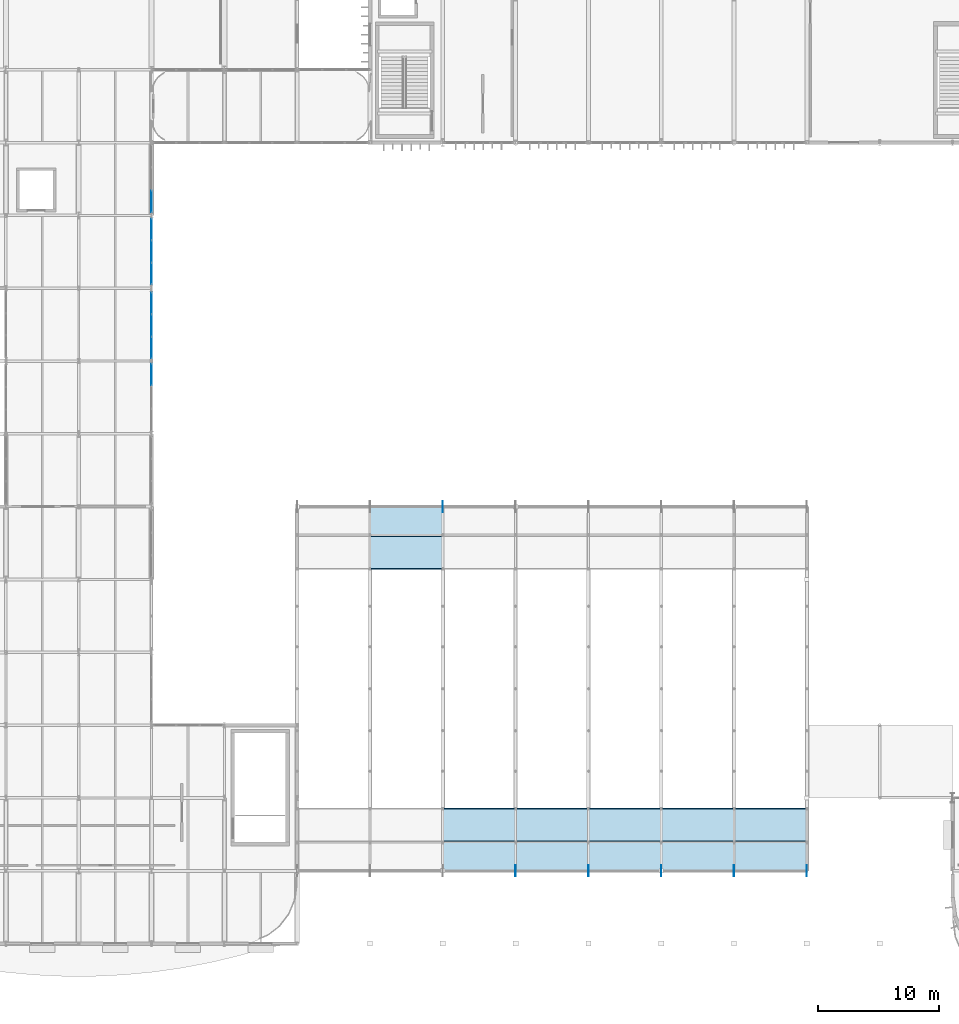
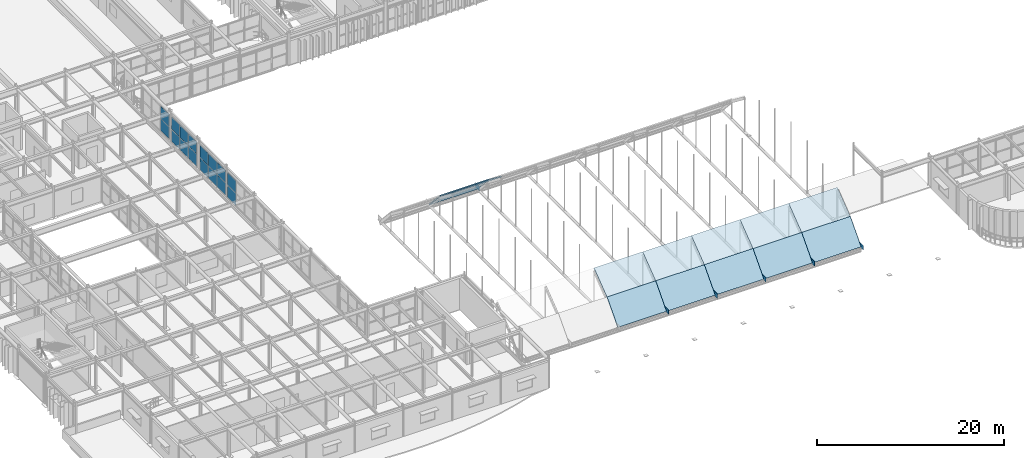
# One storey, part 78 of 116: 22 plates, 12 slabs, 4 elements without a shape of their own.
"""IFC4 building model written with IfcOpenShell, lengths in metres."""

from ifc_helpers import new_model, si_unit, direction, frame, origin, origin_2d, place, context, subcontext, project, spatial, polyline, rectangle, outline, extrude, material, layer, layer_set, type_object, element, aggregate, save


model = new_model("IFC4")

# Units and contexts
model_context = context("Model", 3, precision=1e-05, world=origin(), true_north=direction((0.0, 1.0)))
body_context = subcontext(model_context, "Body", "Model", "MODEL_VIEW")
ifc_project = project(units=[si_unit("LENGTHUNIT", "METRE"), si_unit("AREAUNIT", "SQUARE_METRE"), si_unit("VOLUMEUNIT", "CUBIC_METRE"), si_unit("PLANEANGLEUNIT", "RADIAN"), si_unit("MASSUNIT", "GRAM", prefix="KILO")], contexts=[model_context])

# Site, building, storey
site_placement = place(None, origin())
site = spatial("IfcSite", under=ifc_project, at=site_placement, CompositionType="ELEMENT")
building_placement = place(site_placement, origin())
building = spatial("IfcBuilding", under=site, at=building_placement, Name="Varnakota Square Police Headquarters", CompositionType="ELEMENT")
storey_placement = place(building_placement, frame((0.0, 0.0, 9.300048828125)))
storey = spatial("IfcBuildingStorey", under=building, at=storey_placement, Name="L02", CompositionType="ELEMENT", Elevation=9.300048828125)

# Curtain wall, plates
ifc_material_1 = material(Name="Anodised Aluminium Framing", Category="aluminium")
curtain_wall_type = type_object("IfcCurtainWallType", Name="CW-SYS-D", PredefinedType="NOTDEFINED", material=ifc_material_1)
curtain_wall_1_placement = place(storey_placement, origin())
curtain_wall_1 = element("IfcCurtainWall", 1, at=curtain_wall_1_placement, inside=storey, type_object=curtain_wall_type, Name="Unitised curtain wall CWG-L02-159", PredefinedType="NOTDEFINED")
ifc_material_2 = material(Name="Solar-Control Laminated Double Glazing", Category="glass")
ifc_layer_1 = layer(ifc_material_2, 0.028076171875, Name="Solar-Control Laminated Double Glazing")
ifc_layer_set_1 = layer_set([ifc_layer_1], Name="Solar-Control Laminated Double Glazing")
plate_type_1 = type_object("IfcPlateType", Name="CWP-GLZ-28", PredefinedType="CURTAIN_PANEL", material=ifc_layer_set_1)
plate_1_placement = place(storey_placement, frame((42.0, 58.21533203125, 0.06494140625), z_axis=(0.0, 0.0, 1.0), x_axis=(0.0, 1.0, 0.0)))
plate_1 = element("IfcPlate", 2, at=plate_1_placement, type_object=plate_type_1, Name="CWG-L02-159 panel 1.1", PredefinedType="CURTAIN_PANEL", context=body_context, shape_type="SweptSolid", body=[
    extrude(rectangle(XDim=1.74072265625, YDim=0.028076171875, at=origin_2d()), origin(), (0.0, 0.0, 1.0), 1.572509765625),
])
plate_2_placement = place(storey_placement, frame((42.0, 60.03759765625, 0.06494140625), z_axis=(0.0, 0.0, 1.0), x_axis=(0.0, 1.0, 0.0)))
plate_2 = element("IfcPlate", 3, at=plate_2_placement, type_object=plate_type_1, Name="CWG-L02-159 panel 2.1", PredefinedType="CURTAIN_PANEL", context=body_context, shape_type="SweptSolid", body=[
    extrude(rectangle(XDim=1.7734375, YDim=0.028076171875, at=origin_2d()), origin(), (0.0, 0.0, 1.0), 1.572509765625),
])
plate_3_placement = place(storey_placement, frame((42.0, 61.859619140625, 0.06494140625), z_axis=(0.0, 0.0, 1.0), x_axis=(0.0, 1.0, 0.0)))
plate_3 = element("IfcPlate", 4, at=plate_3_placement, type_object=plate_type_1, Name="CWG-L02-159 panel 3.1", PredefinedType="CURTAIN_PANEL", context=body_context, shape_type="SweptSolid", body=[
    extrude(rectangle(XDim=1.74072265625, YDim=0.028076171875, at=origin_2d()), origin(), (0.0, 0.0, 1.0), 1.572509765625),
])

# Curtain wall, plate
curtain_wall_2_placement = place(storey_placement, origin())
curtain_wall_2 = element("IfcCurtainWall", 5, at=curtain_wall_2_placement, inside=storey, type_object=curtain_wall_type, Name="Unitised curtain wall CWG-L02-160", PredefinedType="NOTDEFINED")
ifc_material_3 = material(Name="Acoustic Laminated Double Glazing", Category="glass")
ifc_layer_2 = layer(ifc_material_3, 0.031982421875, Name="Acoustic Laminated Double Glazing")
ifc_layer_set_2 = layer_set([ifc_layer_2], Name="Acoustic Laminated Double Glazing")
plate_type_2 = type_object("IfcPlateType", Name="CWP-GLZ-32", PredefinedType="CURTAIN_PANEL", material=ifc_layer_set_2)
plate_4_placement = place(storey_placement, frame((42.0, 64.1611328125, 0.06494140625), z_axis=(0.0, 0.0, 1.0), x_axis=(0.0, 1.0, 0.0)))
plate_4 = element("IfcPlate", 6, at=plate_4_placement, type_object=plate_type_2, Name="CWG-L02-160 panel 1.1", PredefinedType="CURTAIN_PANEL", context=body_context, shape_type="SweptSolid", body=[
    extrude(rectangle(XDim=1.782470703125, YDim=0.031982421875, at=origin_2d()), origin(), (0.0, 0.0, 1.0), 1.572509765625),
])

curtain_wall_3_placement = place(storey_placement, origin())
curtain_wall_3 = element("IfcCurtainWall", 7, at=curtain_wall_3_placement, inside=storey, type_object=curtain_wall_type, Name="Unitised curtain wall CWG-L02-157", PredefinedType="NOTDEFINED")
ifc_material_4 = material(Name="Blast-Resistant Laminated Glazing", Category="glass")
ifc_layer_3 = layer(ifc_material_4, 0.035888671875, Name="Blast-Resistant Laminated Glazing")
ifc_layer_set_3 = layer_set([ifc_layer_3], Name="Blast-Resistant Laminated Glazing")
plate_type_3 = type_object("IfcPlateType", Name="CWP-GLZ-36", PredefinedType="CURTAIN_PANEL", material=ifc_layer_set_3)
plate_5_placement = place(storey_placement, frame((42.0, 49.888671875, 0.06494140625), z_axis=(0.0, 0.0, 1.0), x_axis=(0.0, 1.0, 0.0)))
plate_5 = element("IfcPlate", 8, at=plate_5_placement, type_object=plate_type_3, Name="CWG-L02-157 panel 3.1", PredefinedType="CURTAIN_PANEL", context=body_context, shape_type="SweptSolid", body=[
    extrude(rectangle(XDim=1.782470703125, YDim=0.035888671875, at=origin_2d()), origin(), (0.0, 0.0, 1.0), 1.572509765625),
])

# Curtain wall, plates
curtain_wall_4_placement = place(storey_placement, origin())
curtain_wall_4 = element("IfcCurtainWall", 9, at=curtain_wall_4_placement, inside=storey, type_object=curtain_wall_type, Name="Unitised curtain wall CWG-L02-158", PredefinedType="NOTDEFINED")
ifc_material_5 = material(Name="Triple-Glazed Clean-Lab Vision Unit", Category="aluminium")
ifc_layer_4 = layer(ifc_material_5, 0.0419921875, Name="Triple-Glazed Clean-Lab Vision Unit")
ifc_layer_set_4 = layer_set([ifc_layer_4], Name="Triple-Glazed Clean-Lab Vision Unit")
plate_type_4 = type_object("IfcPlateType", Name="CWP-GLZ-42", PredefinedType="CURTAIN_PANEL", material=ifc_layer_set_4)
plate_6_placement = place(storey_placement, frame((42.0, 52.0986328125, 0.06494140625), z_axis=(0.0, 0.0, 1.0), x_axis=(0.0, 1.0, 0.0)))
plate_6 = element("IfcPlate", 10, at=plate_6_placement, type_object=plate_type_4, Name="CWG-L02-158 panel 1.1", PredefinedType="CURTAIN_PANEL", context=body_context, shape_type="SweptSolid", body=[
    extrude(rectangle(XDim=1.757568359375, YDim=0.0419921875, at=origin_2d()), origin(), (0.0, 0.0, 1.0), 1.572509765625),
])
plate_7_placement = place(storey_placement, frame((42.0, 53.9375, 0.06494140625), z_axis=(0.0, 0.0, 1.0), x_axis=(0.0, 1.0, 0.0)))
plate_7 = element("IfcPlate", 11, at=plate_7_placement, type_object=plate_type_4, Name="CWG-L02-158 panel 2.1", PredefinedType="CURTAIN_PANEL", context=body_context, shape_type="SweptSolid", body=[
    extrude(rectangle(XDim=1.7900390625, YDim=0.0419921875, at=origin_2d()), origin(), (0.0, 0.0, 1.0), 1.572509765625),
])
plate_8_placement = place(storey_placement, frame((42.0, 55.7763671875, 0.06494140625), z_axis=(0.0, 0.0, 1.0), x_axis=(0.0, 1.0, 0.0)))
plate_8 = element("IfcPlate", 12, at=plate_8_placement, type_object=plate_type_4, Name="CWG-L02-158 panel 3.1", PredefinedType="CURTAIN_PANEL", context=body_context, shape_type="SweptSolid", body=[
    extrude(rectangle(XDim=1.757568359375, YDim=0.0419921875, at=origin_2d()), origin(), (0.0, 0.0, 1.0), 1.572509765625),
])

# Plate
ifc_material_6 = material(Name="Insulated Anodised Aluminium Spandrel Panel", Category="aluminium")
ifc_layer_5 = layer(ifc_material_6, 0.050048828125, Name="Insulated Anodised Aluminium Spandrel Panel")
ifc_layer_set_5 = layer_set([ifc_layer_5], Name="Insulated Anodised Aluminium Spandrel Panel")
plate_type_5 = type_object("IfcPlateType", Name="CWP-SPN-50", PredefinedType="CURTAIN_PANEL", material=ifc_layer_set_5)
plate_9_placement = place(storey_placement, frame((42.0, 49.888671875, 1.70263671875), z_axis=(0.0, 0.0, 1.0), x_axis=(0.0, 1.0, 0.0)))
plate_9 = element("IfcPlate", 13, at=plate_9_placement, type_object=plate_type_5, Name="CWG-L02-157 panel 3.2", PredefinedType="CURTAIN_PANEL", context=body_context, shape_type="SweptSolid", body=[
    extrude(rectangle(XDim=1.782470703125, YDim=0.050048828125, at=origin_2d()), origin(), (0.0, 0.0, 1.0), 1.572509765625),
])

aggregate(curtain_wall_3, [plate_5, plate_9])

plate_10_placement = place(storey_placement, frame((42.0, 58.21533203125, 1.70263671875), z_axis=(0.0, 0.0, 1.0), x_axis=(0.0, 1.0, 0.0)))
plate_10 = element("IfcPlate", 14, at=plate_10_placement, type_object=plate_type_5, Name="CWG-L02-159 panel 1.2", PredefinedType="CURTAIN_PANEL", context=body_context, shape_type="SweptSolid", body=[
    extrude(rectangle(XDim=1.74072265625, YDim=0.050048828125, at=origin_2d()), origin(), (0.0, 0.0, 1.0), 1.572509765625),
])

plate_11_placement = place(storey_placement, frame((42.0, 60.03759765625, 1.70263671875), z_axis=(0.0, 0.0, 1.0), x_axis=(0.0, 1.0, 0.0)))
plate_11 = element("IfcPlate", 15, at=plate_11_placement, type_object=plate_type_5, Name="CWG-L02-159 panel 2.2", PredefinedType="CURTAIN_PANEL", context=body_context, shape_type="SweptSolid", body=[
    extrude(rectangle(XDim=1.7734375, YDim=0.050048828125, at=origin_2d()), origin(), (0.0, 0.0, 1.0), 1.572509765625),
])

plate_12_placement = place(storey_placement, frame((42.0, 61.859619140625, 1.70263671875), z_axis=(0.0, 0.0, 1.0), x_axis=(0.0, 1.0, 0.0)))
plate_12 = element("IfcPlate", 16, at=plate_12_placement, type_object=plate_type_5, Name="CWG-L02-159 panel 3.2", PredefinedType="CURTAIN_PANEL", context=body_context, shape_type="SweptSolid", body=[
    extrude(rectangle(XDim=1.74072265625, YDim=0.050048828125, at=origin_2d()), origin(), (0.0, 0.0, 1.0), 1.572509765625),
])

aggregate(curtain_wall_1, [plate_1, plate_10, plate_2, plate_11, plate_3, plate_12])

ifc_material_7 = material(Name="Fire-Stopped Mineral-Wool Spandrel Panel", Category="aluminium")
ifc_layer_6 = layer(ifc_material_7, 0.06005859375, Name="Fire-Stopped Mineral-Wool Spandrel Panel")
ifc_layer_set_6 = layer_set([ifc_layer_6], Name="Fire-Stopped Mineral-Wool Spandrel Panel")
plate_type_6 = type_object("IfcPlateType", Name="CWP-SPN-60", PredefinedType="CURTAIN_PANEL", material=ifc_layer_set_6)
plate_13_placement = place(storey_placement, frame((42.0, 52.0986328125, 1.70263671875), z_axis=(0.0, 0.0, 1.0), x_axis=(0.0, 1.0, 0.0)))
plate_13 = element("IfcPlate", 17, at=plate_13_placement, type_object=plate_type_6, Name="CWG-L02-158 panel 1.2", PredefinedType="CURTAIN_PANEL", context=body_context, shape_type="SweptSolid", body=[
    extrude(rectangle(XDim=1.757568359375, YDim=0.06005859375, at=origin_2d()), origin(), (0.0, 0.0, 1.0), 1.572509765625),
])

plate_14_placement = place(storey_placement, frame((42.0, 53.9375, 1.70263671875), z_axis=(0.0, 0.0, 1.0), x_axis=(0.0, 1.0, 0.0)))
plate_14 = element("IfcPlate", 18, at=plate_14_placement, type_object=plate_type_6, Name="CWG-L02-158 panel 2.2", PredefinedType="CURTAIN_PANEL", context=body_context, shape_type="SweptSolid", body=[
    extrude(rectangle(XDim=1.7900390625, YDim=0.06005859375, at=origin_2d()), origin(), (0.0, 0.0, 1.0), 1.572509765625),
])

plate_15_placement = place(storey_placement, frame((42.0, 55.7763671875, 1.70263671875), z_axis=(0.0, 0.0, 1.0), x_axis=(0.0, 1.0, 0.0)))
plate_15 = element("IfcPlate", 19, at=plate_15_placement, type_object=plate_type_6, Name="CWG-L02-158 panel 3.2", PredefinedType="CURTAIN_PANEL", context=body_context, shape_type="SweptSolid", body=[
    extrude(rectangle(XDim=1.757568359375, YDim=0.06005859375, at=origin_2d()), origin(), (0.0, 0.0, 1.0), 1.572509765625),
])

aggregate(curtain_wall_4, [plate_6, plate_13, plate_7, plate_14, plate_8, plate_15])

plate_16_placement = place(storey_placement, frame((42.0, 64.1611328125, 1.70263671875), z_axis=(0.0, 0.0, 1.0), x_axis=(0.0, 1.0, 0.0)))
plate_16 = element("IfcPlate", 20, at=plate_16_placement, type_object=plate_type_6, Name="CWG-L02-160 panel 1.2", PredefinedType="CURTAIN_PANEL", context=body_context, shape_type="SweptSolid", body=[
    extrude(rectangle(XDim=1.782470703125, YDim=0.06005859375, at=origin_2d()), origin(), (0.0, 0.0, 1.0), 1.572509765625),
])

aggregate(curtain_wall_2, [plate_4, plate_16])

# Plates
ifc_material_8 = material(Name="Steel IS 2062 Grade 350", Category="steel")
ifc_layer_7 = layer(ifc_material_8, 0.02001953125, Name="Steel IS 2062 Grade 350")
ifc_layer_set_7 = layer_set([ifc_layer_7], Name="Steel IS 2062 Grade 350")
plate_type_7 = type_object("IfcPlateType", Name="PL-GUS-20", PredefinedType="SHEET", material=ifc_layer_set_7)
for number, where, z_axis, x_axis, name in (
    (21, (66.0, 39.0, -0.150146484375), (0.0, 0.0, 1.0), (1.0, 0.0, 0.0), "Vault springing gusset GP-006"),
    (22, (72.0, 9.0, -0.150146484375), (0.0, 0.0, 1.0), (1.0, 0.0, 0.0), "Vault springing gusset GP-007"),
    (23, (78.0, 9.0, -0.150146484375), (0.0, 0.0, 1.0), (1.0, 0.0, 0.0), "Vault springing gusset GP-009"),
    (24, (84.0, 9.0, -0.150146484375), (0.0, 0.0, 1.0), (1.0, 0.0, 0.0), "Vault springing gusset GP-011"),
    (25, (90.0, 9.0, -0.150146484375), (0.0, 0.0, 1.0), (1.0, 0.0, 0.0), "Vault springing gusset GP-013"),
    (26, (96.0, 9.0, -0.150146484375), (0.0, 0.0, 1.0), (1.0, 0.0, 0.0), "Vault springing gusset GP-015"),
):
    element("IfcPlate", number, at=place(storey_placement, frame(where, z_axis=z_axis, x_axis=x_axis)), inside=storey, type_object=plate_type_7, Name=name, PredefinedType="SHEET", context=body_context, shape_type="SweptSolid", body=[
        extrude(rectangle(XDim=0.02001953125, YDim=0.89990234375, at=origin_2d()), origin(), (0.0, 0.0, 1.0), 0.60009765625),
    ])

# Slabs
ifc_material_9 = material(Name="Concrete M40", Category="concrete")
ifc_layer_8 = layer(ifc_material_9, 0.139892578125, Name="Concrete M40")
ifc_layer_set_8 = layer_set([ifc_layer_8], Name="Concrete M40")
slab_type = type_object("IfcSlabType", Name="SL-VLT-140", PredefinedType="ROOF", material=ifc_layer_set_8)
slab_1_placement = place(storey_placement, frame((60.0, 33.902099609375, 4.671875), z_axis=(0.0, 0.604468039557, 0.7966293926), x_axis=(1.0, 0.0, 0.0)))
element("IfcSlab", 27, at=slab_1_placement, inside=storey, type_object=slab_type, Name="Barrel vault roof deck strip V1-B02-S09", PredefinedType="ROOF", context=body_context, shape_type="SweptSolid", body=[
    extrude(outline(polyline([(0.0, 0.0), (6.0, 0.0), (6.0, 3.472271180231597), (0.0, 3.472271180231597), (0.0, 0.0)])), origin(), (0.0, 0.0, -1.0), 0.139892578125),
])
for number, where, z_axis, x_axis, name in (
    (28, (60.0, 36.668212890625, 2.572998046875), (0.0, 0.740985858159, 0.671520631111), (1.0, 0.0, 0.0), "Barrel vault roof deck strip V1-B02-S10"),
    (29, (66.0, 9.0, 0.0), (0.0, -0.740985858159, 0.671520631111), (1.0, 0.0, 0.0), "Barrel vault roof deck strip V1-B03-S01"),
):
    element("IfcSlab", number, at=place(storey_placement, frame(where, z_axis=z_axis, x_axis=x_axis)), inside=storey, type_object=slab_type, Name=name, PredefinedType="ROOF", context=body_context, shape_type="SweptSolid", body=[
        extrude(outline(polyline([(0.0, 0.0), (6.0, 0.0), (6.0, 3.4723983171102333), (0.0, 3.4723983171102333), (0.0, 0.0)])), origin(), (0.0, 0.0, -1.0), 0.139892578125),
    ])
slab_2_placement = place(storey_placement, frame((66.0, 11.331787109375, 2.572998046875), z_axis=(0.0, -0.604468039557, 0.7966293926), x_axis=(1.0, 0.0, 0.0)))
element("IfcSlab", 30, at=slab_2_placement, inside=storey, type_object=slab_type, Name="Barrel vault roof deck strip V1-B03-S02", PredefinedType="ROOF", context=body_context, shape_type="SweptSolid", body=[
    extrude(outline(polyline([(0.0, 0.0), (6.0, 0.0), (6.0, 3.472271180231597), (0.0, 3.472271180231597), (0.0, 0.0)])), origin(), (0.0, 0.0, -1.0), 0.139892578125),
])
slab_3_placement = place(storey_placement, frame((72.0, 9.0, 0.0), z_axis=(0.0, -0.740985858159, 0.671520631111), x_axis=(1.0, 0.0, 0.0)))
element("IfcSlab", 31, at=slab_3_placement, inside=storey, type_object=slab_type, Name="Barrel vault roof deck strip V1-B04-S01", PredefinedType="ROOF", context=body_context, shape_type="SweptSolid", body=[
    extrude(outline(polyline([(0.0, 0.0), (6.0, 0.0), (6.0, 3.4723983171102333), (0.0, 3.4723983171102333), (0.0, 0.0)])), origin(), (0.0, 0.0, -1.0), 0.139892578125),
])
slab_4_placement = place(storey_placement, frame((72.0, 11.331787109375, 2.572998046875), z_axis=(0.0, -0.604468039557, 0.7966293926), x_axis=(1.0, 0.0, 0.0)))
element("IfcSlab", 32, at=slab_4_placement, inside=storey, type_object=slab_type, Name="Barrel vault roof deck strip V1-B04-S02", PredefinedType="ROOF", context=body_context, shape_type="SweptSolid", body=[
    extrude(outline(polyline([(0.0, 0.0), (6.0, 0.0), (6.0, 3.472271180231597), (0.0, 3.472271180231597), (0.0, 0.0)])), origin(), (0.0, 0.0, -1.0), 0.139892578125),
])
slab_5_placement = place(storey_placement, frame((78.0, 9.0, 0.0), z_axis=(0.0, -0.740985858159, 0.671520631111), x_axis=(1.0, 0.0, 0.0)))
element("IfcSlab", 33, at=slab_5_placement, inside=storey, type_object=slab_type, Name="Barrel vault roof deck strip V1-B05-S01", PredefinedType="ROOF", context=body_context, shape_type="SweptSolid", body=[
    extrude(outline(polyline([(0.0, 0.0), (6.0, 0.0), (6.0, 3.4723983171102333), (0.0, 3.4723983171102333), (0.0, 0.0)])), origin(), (0.0, 0.0, -1.0), 0.139892578125),
])
slab_6_placement = place(storey_placement, frame((78.0, 11.331787109375, 2.572998046875), z_axis=(0.0, -0.604468039557, 0.7966293926), x_axis=(1.0, 0.0, 0.0)))
element("IfcSlab", 34, at=slab_6_placement, inside=storey, type_object=slab_type, Name="Barrel vault roof deck strip V1-B05-S02", PredefinedType="ROOF", context=body_context, shape_type="SweptSolid", body=[
    extrude(outline(polyline([(0.0, 0.0), (6.0, 0.0), (6.0, 3.472271180231597), (0.0, 3.472271180231597), (0.0, 0.0)])), origin(), (0.0, 0.0, -1.0), 0.139892578125),
])
slab_7_placement = place(storey_placement, frame((84.0, 9.0, 0.0), z_axis=(0.0, -0.740985858159, 0.671520631111), x_axis=(1.0, 0.0, 0.0)))
element("IfcSlab", 35, at=slab_7_placement, inside=storey, type_object=slab_type, Name="Barrel vault roof deck strip V1-B06-S01", PredefinedType="ROOF", context=body_context, shape_type="SweptSolid", body=[
    extrude(outline(polyline([(0.0, 0.0), (6.0, 0.0), (6.0, 3.4723983171102333), (0.0, 3.4723983171102333), (0.0, 0.0)])), origin(), (0.0, 0.0, -1.0), 0.139892578125),
])
slab_8_placement = place(storey_placement, frame((84.0, 11.331787109375, 2.572998046875), z_axis=(0.0, -0.604468039557, 0.7966293926), x_axis=(1.0, 0.0, 0.0)))
element("IfcSlab", 36, at=slab_8_placement, inside=storey, type_object=slab_type, Name="Barrel vault roof deck strip V1-B06-S02", PredefinedType="ROOF", context=body_context, shape_type="SweptSolid", body=[
    extrude(outline(polyline([(0.0, 0.0), (6.0, 0.0), (6.0, 3.472271180231597), (0.0, 3.472271180231597), (0.0, 0.0)])), origin(), (0.0, 0.0, -1.0), 0.139892578125),
])
slab_9_placement = place(storey_placement, frame((90.0, 9.0, 0.0), z_axis=(0.0, -0.740985858159, 0.671520631111), x_axis=(1.0, 0.0, 0.0)))
element("IfcSlab", 37, at=slab_9_placement, inside=storey, type_object=slab_type, Name="Barrel vault roof deck strip V1-B07-S01", PredefinedType="ROOF", context=body_context, shape_type="SweptSolid", body=[
    extrude(outline(polyline([(0.0, 0.0), (6.0, 0.0), (6.0, 3.4723983171102333), (0.0, 3.4723983171102333), (0.0, 0.0)])), origin(), (0.0, 0.0, -1.0), 0.139892578125),
])
slab_10_placement = place(storey_placement, frame((90.0, 11.331787109375, 2.572998046875), z_axis=(0.0, -0.604468039557, 0.7966293926), x_axis=(1.0, 0.0, 0.0)))
element("IfcSlab", 38, at=slab_10_placement, inside=storey, type_object=slab_type, Name="Barrel vault roof deck strip V1-B07-S02", PredefinedType="ROOF", context=body_context, shape_type="SweptSolid", body=[
    extrude(outline(polyline([(0.0, 0.0), (6.0, 0.0), (6.0, 3.472271180231597), (0.0, 3.472271180231597), (0.0, 0.0)])), origin(), (0.0, 0.0, -1.0), 0.139892578125),
])

save(model, "model.ifc")
